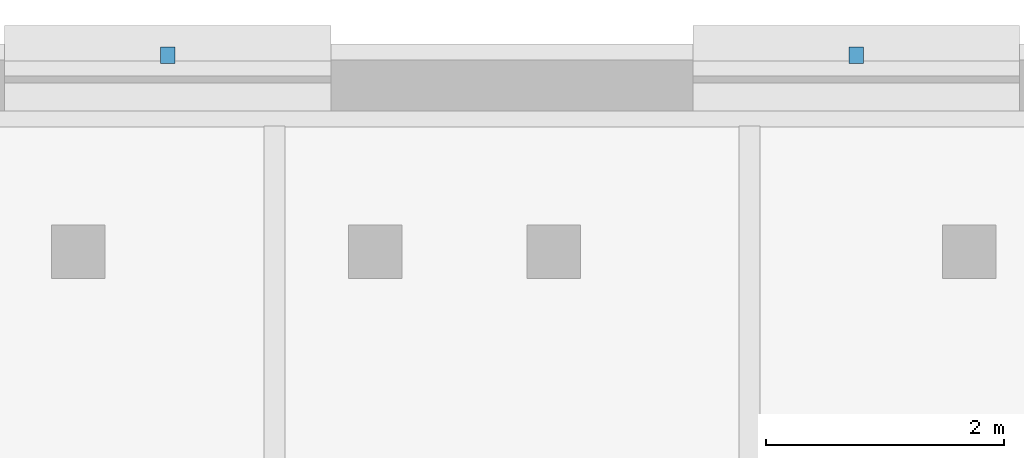
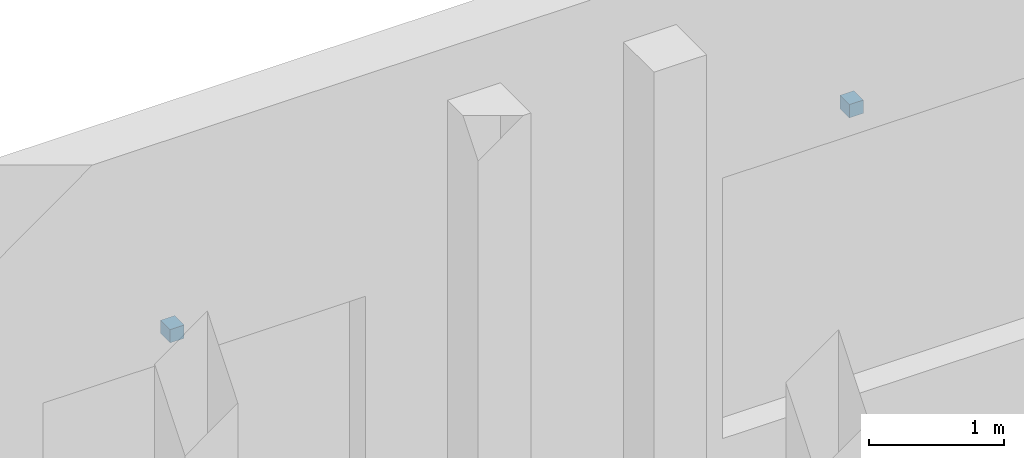
# One storey, part 105 of 113: 2 discrete accessories.
"""IFC4 building model written with IfcOpenShell, lengths in metres."""

from ifc_helpers import new_model, si_unit, direction, frame, origin, origin_2d, place, context, subcontext, project, spatial, rectangle, extrude, material, type_object, element, save


model = new_model("IFC4")

# Units and contexts
model_context = context("Model", 3, precision=1e-05, world=origin(), true_north=direction((0.0, 1.0)))
body_context = subcontext(model_context, "Body", "Model", "MODEL_VIEW")
ifc_project = project(units=[si_unit("LENGTHUNIT", "METRE"), si_unit("AREAUNIT", "SQUARE_METRE"), si_unit("VOLUMEUNIT", "CUBIC_METRE"), si_unit("PLANEANGLEUNIT", "RADIAN"), si_unit("MASSUNIT", "GRAM", prefix="KILO"), si_unit("POWERUNIT", "WATT"), si_unit("THERMODYNAMICTEMPERATUREUNIT", "KELVIN")], contexts=[model_context])

# Site, building, storey
site_placement = place(None, origin())
site = spatial("IfcSite", under=ifc_project, at=site_placement, CompositionType="ELEMENT")
building_placement = place(site_placement, origin())
building = spatial("IfcBuilding", under=site, at=building_placement, Name="Kelmbourne Parkland Aquatics Centre", CompositionType="ELEMENT")
storey_placement = place(building_placement, origin())
storey = spatial("IfcBuildingStorey", under=building, at=storey_placement, Name="L00", CompositionType="ELEMENT", Elevation=0.0)

# Discrete accessories
ifc_material = material(Name="Hot-dip galvanised structural steel AS/NZS 4680", Category="steel")
discrete_accessory_type = type_object("IfcDiscreteAccessoryType", Name="ACC-BRK-1", PredefinedType="BRACKET", material=ifc_material)
for number, where, z_axis, x_axis, name in (
    (1, (155.10205078125, 115.054931640625, 2.93994140625), (0.0, 0.0, 1.0), (1.0, 0.0, 0.0), "Galvanised sunshade fixing bracket 071"),
    (2, (160.89794921875, 115.054931640625, 2.93994140625), (0.0, 0.0, 1.0), (1.0, 0.0, 0.0), "Galvanised sunshade fixing bracket 072"),
):
    element("IfcDiscreteAccessory", number, at=place(storey_placement, frame(where, z_axis=z_axis, x_axis=x_axis)), inside=storey, type_object=discrete_accessory_type, Name=name, PredefinedType="BRACKET", context=body_context, shape_type="SweptSolid", body=[
        extrude(rectangle(XDim=0.1201171875, YDim=0.139892578125, at=origin_2d()), origin(), (0.0, 0.0, 1.0), 0.1201171875),
    ])

save(model, "model.ifc")
